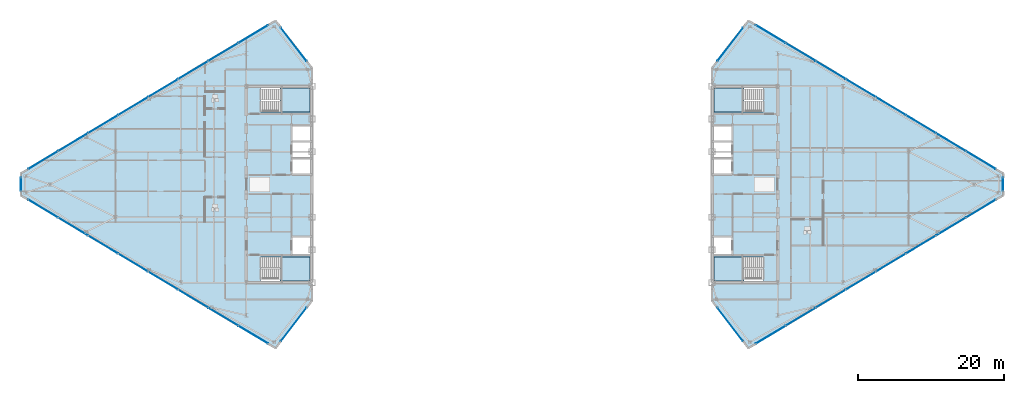
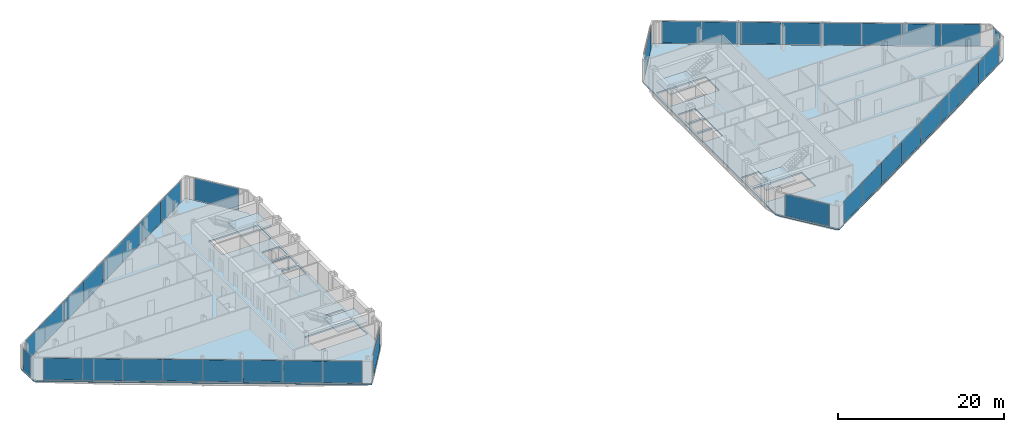
# One storey, part 18 of 26: 38 plates, 6 slabs, 14 elements without a shape of their own.
"""IFC4 building model written with IfcOpenShell, lengths in metres."""

from ifc_helpers import new_model, si_unit, direction, frame, origin, origin_2d, place, context, subcontext, project, spatial, polyline, rectangle, outline, extrude, source, transform, mapped, material, layer, layer_set, type_object, type_shapes, element, aggregate, save


model = new_model("IFC4")

# Units and contexts
model_context = context("Model", 3, precision=1e-05, world=origin(), true_north=direction((0.0, 1.0)))
body_context = subcontext(model_context, "Body", "Model", "MODEL_VIEW")
ifc_project = project(units=[si_unit("LENGTHUNIT", "METRE"), si_unit("AREAUNIT", "SQUARE_METRE"), si_unit("VOLUMEUNIT", "CUBIC_METRE"), si_unit("PLANEANGLEUNIT", "RADIAN"), si_unit("MASSUNIT", "GRAM", prefix="KILO")], contexts=[model_context])

# Site, building, storey
site_placement = place(None, origin())
site = spatial("IfcSite", under=ifc_project, at=site_placement, CompositionType="ELEMENT")
building_placement = place(site_placement, origin())
building = spatial("IfcBuilding", under=site, at=building_placement, Name="Seokmaru Belvedere", CompositionType="ELEMENT")
storey_placement = place(building_placement, frame((0.0, 0.0, 221.10009765625)))
storey = spatial("IfcBuildingStorey", under=building, at=storey_placement, Name="L59", CompositionType="ELEMENT", Elevation=221.10009765625)

# Stair, slab
ifc_material_1 = material(Name="Concrete C40 (40 MPa)", Category="concrete")
stair_type = type_object("IfcStairType", Name="Typical Tower Core Dog-Leg Stair 3600", PredefinedType="TWO_STRAIGHT_RUN_STAIR", material=ifc_material_1)
stair_1_placement = place(storey_placement, origin())
stair_1 = element("IfcStair", 1, at=stair_1_placement, inside=storey, type_object=stair_type, Name="L59 Special Escape Stair ST-W1", PredefinedType="TWO_STRAIGHT_RUN_STAIR")
ifc_layer_1 = layer(ifc_material_1, 0.199951171875)
ifc_layer_set_1 = layer_set([ifc_layer_1], Name="Concrete C40 (40 MPa)")
slab_type_1 = type_object("IfcSlabType", Name="Reinforced Concrete Stair Landing Slab 200", PredefinedType="LANDING", material=ifc_layer_set_1)
slab_1_placement = place(storey_placement, frame((0.0, 0.0, 1.599853515625)))
slab_1 = element("IfcSlab", 2, at=slab_1_placement, type_object=slab_type_1, Name="ST-W1 landing 1", PredefinedType="LANDING", context=body_context, shape_type="SweptSolid", body=[
    extrude(outline(polyline([(-31.8798828125, -13.239990234375), (-27.760009765625, -13.239990234375), (-27.760009765625, -9.949951171875), (-31.8798828125, -9.949951171875), (-31.8798828125, -13.239990234375)])), origin(), (0.0, 0.0, 1.0), 0.199951171875),
])
aggregate(stair_1, [slab_1])

stair_2_placement = place(storey_placement, origin())
stair_2 = element("IfcStair", 3, at=stair_2_placement, inside=storey, type_object=stair_type, Name="L59 Special Escape Stair ST-W2", PredefinedType="TWO_STRAIGHT_RUN_STAIR")
slab_2_placement = place(storey_placement, frame((0.0, 0.0, 1.599853515625)))
slab_2 = element("IfcSlab", 4, at=slab_2_placement, type_object=slab_type_1, Name="ST-W2 landing 1", PredefinedType="LANDING", context=body_context, shape_type="SweptSolid", body=[
    extrude(outline(polyline([(-31.8798828125, 9.949951171875), (-27.760009765625, 9.949951171875), (-27.760009765625, 13.239990234375), (-31.8798828125, 13.239990234375), (-31.8798828125, 9.949951171875)])), origin(), (0.0, 0.0, 1.0), 0.199951171875),
])
aggregate(stair_2, [slab_2])

stair_3_placement = place(storey_placement, origin())
stair_3 = element("IfcStair", 5, at=stair_3_placement, inside=storey, type_object=stair_type, Name="L59 Special Escape Stair ST-E1", PredefinedType="TWO_STRAIGHT_RUN_STAIR")
slab_3_placement = place(storey_placement, frame((0.0, 0.0, 1.599853515625)))
slab_3 = element("IfcSlab", 6, at=slab_3_placement, type_object=slab_type_1, Name="ST-E1 landing 1", PredefinedType="LANDING", context=body_context, shape_type="SweptSolid", body=[
    extrude(outline(polyline([(27.760009765625, -13.239990234375), (31.8798828125, -13.239990234375), (31.8798828125, -9.949951171875), (27.760009765625, -9.949951171875), (27.760009765625, -13.239990234375)])), origin(), (0.0, 0.0, 1.0), 0.199951171875),
])
aggregate(stair_3, [slab_3])

stair_4_placement = place(storey_placement, origin())
stair_4 = element("IfcStair", 7, at=stair_4_placement, inside=storey, type_object=stair_type, Name="L59 Special Escape Stair ST-E2", PredefinedType="TWO_STRAIGHT_RUN_STAIR")
slab_4_placement = place(storey_placement, frame((0.0, 0.0, 1.599853515625)))
slab_4 = element("IfcSlab", 8, at=slab_4_placement, type_object=slab_type_1, Name="ST-E2 landing 1", PredefinedType="LANDING", context=body_context, shape_type="SweptSolid", body=[
    extrude(outline(polyline([(27.760009765625, 9.949951171875), (31.8798828125, 9.949951171875), (31.8798828125, 13.239990234375), (27.760009765625, 13.239990234375), (27.760009765625, 9.949951171875)])), origin(), (0.0, 0.0, 1.0), 0.199951171875),
])
aggregate(stair_4, [slab_4])

# Slabs
ifc_layer_2 = layer(ifc_material_1, 0.219970703125)
ifc_layer_set_2 = layer_set([ifc_layer_2], Name="Concrete C40 (40 MPa)")
slab_type_2 = type_object("IfcSlabType", Name="Typical Tower Composite Floor Slab 220", PredefinedType="FLOOR", material=ifc_layer_set_2)
slab_5_placement = place(storey_placement, frame((0.0, 0.0, -0.22021484375)))
element("IfcSlab", 9, at=slab_5_placement, inside=storey, type_object=slab_type_2, Name="L59 West Leg Floor Slab", PredefinedType="FLOOR", context=body_context, shape_type="SweptSolid", body=[
    extrude(outline(polyline([(-27.5, -16.0), (-27.5, 16.0), (-32.5, 22.5), (-67.5, 1.5), (-67.5, -1.5), (-32.5, -22.5), (-27.5, -16.0)]), holes=[polyline([(-34.60009765625, -13.25), (-27.75, -13.25), (-27.75, -9.949951171875), (-34.60009765625, -9.949951171875), (-34.60009765625, -13.25)]), polyline([(-34.60009765625, 9.949951171875), (-27.75, 9.949951171875), (-27.75, 13.25), (-34.60009765625, 13.25), (-34.60009765625, 9.949951171875)]), polyline([(-30.14990234375, -9.550048828125), (-27.75, -9.550048828125), (-27.75, -7.25), (-30.14990234375, -7.25), (-30.14990234375, -9.550048828125)]), polyline([(-30.14990234375, 1.449951171875), (-27.75, 1.449951171875), (-27.75, 3.449951171875), (-30.14990234375, 3.449951171875), (-30.14990234375, 1.449951171875)]), polyline([(-30.14990234375, 3.75), (-27.75, 3.75), (-27.75, 5.75), (-30.14990234375, 5.75), (-30.14990234375, 3.75)]), polyline([(-30.14990234375, 6.050048828125), (-27.75, 6.050048828125), (-27.75, 8.050048828125), (-30.14990234375, 8.050048828125), (-30.14990234375, 6.050048828125)])]), origin(), (0.0, 0.0, 1.0), 0.22021484375),
])
slab_6_placement = place(storey_placement, frame((0.0, 0.0, -0.22021484375)))
element("IfcSlab", 10, at=slab_6_placement, inside=storey, type_object=slab_type_2, Name="L59 East Leg Floor Slab", PredefinedType="FLOOR", context=body_context, shape_type="SweptSolid", body=[
    extrude(outline(polyline([(32.5, -22.5), (67.5, -1.5), (67.5, 1.5), (32.5, 22.5), (27.5, 16.0), (27.5, -16.0), (32.5, -22.5)]), holes=[polyline([(27.75, -13.25), (34.60009765625, -13.25), (34.60009765625, -9.949951171875), (27.75, -9.949951171875), (27.75, -13.25)]), polyline([(27.75, 9.949951171875), (34.60009765625, 9.949951171875), (34.60009765625, 13.25), (27.75, 13.25), (27.75, 9.949951171875)]), polyline([(27.75, -9.550048828125), (30.14990234375, -9.550048828125), (30.14990234375, -7.25), (27.75, -7.25), (27.75, -9.550048828125)]), polyline([(27.75, 1.449951171875), (30.14990234375, 1.449951171875), (30.14990234375, 3.449951171875), (27.75, 3.449951171875), (27.75, 1.449951171875)]), polyline([(27.75, 3.75), (30.14990234375, 3.75), (30.14990234375, 5.75), (27.75, 5.75), (27.75, 3.75)]), polyline([(27.75, 6.050048828125), (30.14990234375, 6.050048828125), (30.14990234375, 8.050048828125), (27.75, 8.050048828125), (27.75, 6.050048828125)])]), origin(), (0.0, 0.0, 1.0), 0.22021484375),
])

# Curtain wall, plate
ifc_material_2 = material(Name="Bronze Triple Insulating Glass", Category="glass")
ifc_layer_3 = layer(ifc_material_2, 0.179931640625)
ifc_layer_set_3 = layer_set([ifc_layer_3], Name="Bronze Triple Insulating Glass")
curtain_wall_type = type_object("IfcCurtainWallType", Name="High-Rise Wind-Corner Curtain Wall System CW-5", PredefinedType="NOTDEFINED", material=ifc_layer_set_3)
curtain_wall_1_placement = place(storey_placement, origin())
curtain_wall_1 = element("IfcCurtainWall", 11, at=curtain_wall_1_placement, inside=storey, type_object=curtain_wall_type, Name="L59 Curtain Wall WF2", PredefinedType="NOTDEFINED")
ifc_layer_4 = layer(ifc_material_2, 0.035888671875)
ifc_layer_set_4 = layer_set([ifc_layer_4], Name="Bronze Triple Insulating Glass")
plate_type = type_object("IfcPlateType", Name="Bronze Triple Vision Glazing Panel 36", PredefinedType="CURTAIN_PANEL", material=ifc_layer_set_4)
shared_shape_1 = source(origin(), body_context, "Body", "SweptSolid", [
    extrude(rectangle(XDim=5.7705078125, YDim=0.035888671875, at=origin_2d()), origin(), (0.0, 0.0, 1.0), 3.2099609375),
])
plate_1_placement = place(storey_placement, frame((-30.0, 19.25, 0.06494140625), z_axis=(0.0, 0.0, 1.0), x_axis=(-0.609701187349, 0.792631353244, 0.0)))
plate_1 = element("IfcPlate", 12, at=plate_1_placement, type_object=plate_type, Name="CW:L59:WF2 Glazing Panel 1-1", PredefinedType="CURTAIN_PANEL", context=body_context, shape_type="MappedRepresentation", body=[
    mapped(shared_shape_1, transform((0.0, 0.0, 0.0), scale=1.0)),
])
aggregate(curtain_wall_1, [plate_1])

curtain_wall_2_placement = place(storey_placement, origin())
curtain_wall_2 = element("IfcCurtainWall", 13, at=curtain_wall_2_placement, inside=storey, type_object=curtain_wall_type, Name="L59 Curtain Wall WF6", PredefinedType="NOTDEFINED")
plate_2_placement = place(storey_placement, frame((-30.0, -19.25, 0.06494140625), z_axis=(0.0, 0.0, 1.0), x_axis=(0.609701187349, 0.792631353244, 0.0)))
plate_2 = element("IfcPlate", 14, at=plate_2_placement, type_object=plate_type, Name="CW:L59:WF6 Glazing Panel 1-1", PredefinedType="CURTAIN_PANEL", context=body_context, shape_type="MappedRepresentation", body=[
    mapped(shared_shape_1, transform((0.0, 0.0, 0.0), scale=1.0)),
])
aggregate(curtain_wall_2, [plate_2])

curtain_wall_3_placement = place(storey_placement, origin())
curtain_wall_3 = element("IfcCurtainWall", 15, at=curtain_wall_3_placement, inside=storey, type_object=curtain_wall_type, Name="L59 Curtain Wall EF4", PredefinedType="NOTDEFINED")
plate_3_placement = place(storey_placement, frame((30.0, 19.25, 0.06494140625), z_axis=(0.0, 0.0, 1.0), x_axis=(-0.609701187349, -0.792631353244, 0.0)))
plate_3 = element("IfcPlate", 16, at=plate_3_placement, type_object=plate_type, Name="CW:L59:EF4 Glazing Panel 1-1", PredefinedType="CURTAIN_PANEL", context=body_context, shape_type="MappedRepresentation", body=[
    mapped(shared_shape_1, transform((0.0, 0.0, 0.0), scale=1.0)),
])
aggregate(curtain_wall_3, [plate_3])

curtain_wall_4_placement = place(storey_placement, origin())
curtain_wall_4 = element("IfcCurtainWall", 17, at=curtain_wall_4_placement, inside=storey, type_object=curtain_wall_type, Name="L59 Curtain Wall EF6", PredefinedType="NOTDEFINED")
plate_4_placement = place(storey_placement, frame((30.0, -19.25, 0.06494140625), z_axis=(0.0, 0.0, 1.0), x_axis=(0.609701187349, -0.792631353244, 0.0)))
plate_4 = element("IfcPlate", 18, at=plate_4_placement, type_object=plate_type, Name="CW:L59:EF6 Glazing Panel 1-1", PredefinedType="CURTAIN_PANEL", context=body_context, shape_type="MappedRepresentation", body=[
    mapped(shared_shape_1, transform((0.0, 0.0, 0.0), scale=1.0)),
])
aggregate(curtain_wall_4, [plate_4])

# Curtain wall, plates
curtain_wall_5_placement = place(storey_placement, origin())
curtain_wall_5 = element("IfcCurtainWall", 19, at=curtain_wall_5_placement, inside=storey, type_object=curtain_wall_type, Name="L59 Curtain Wall WF3", PredefinedType="NOTDEFINED")
shared_shape_2 = source(origin(), body_context, "Body", "SweptSolid", [
    extrude(rectangle(XDim=4.717041015625, YDim=0.035888671875, at=origin_2d()), origin(), (0.0, 0.0, 1.0), 3.2099609375),
])
plate_5_placement = place(storey_placement, frame((-35.564208984375, 20.661376953125, 0.06494140625), z_axis=(0.0, 0.0, 1.0), x_axis=(-0.85749343335, -0.514494909364, 0.0)))
plate_5 = element("IfcPlate", 20, at=plate_5_placement, type_object=plate_type, Name="CW:L59:WF3 Glazing Panel 1-1", PredefinedType="CURTAIN_PANEL", context=body_context, shape_type="MappedRepresentation", body=[
    mapped(shared_shape_2, transform((0.0, 0.0, 0.0), scale=1.0)),
])
plate_6_placement = place(storey_placement, frame((-64.435791015625, 3.338623046875, 0.06494140625), z_axis=(0.0, 0.0, 1.0), x_axis=(-0.85749343335, -0.514494909364, 0.0)))
plate_6 = element("IfcPlate", 21, at=plate_6_placement, type_object=plate_type, Name="CW:L59:WF3 Glazing Panel 8-1", PredefinedType="CURTAIN_PANEL", context=body_context, shape_type="MappedRepresentation", body=[
    mapped(shared_shape_2, transform((0.0, 0.0, 0.0), scale=1.0)),
])

curtain_wall_6_placement = place(storey_placement, origin())
curtain_wall_6 = element("IfcCurtainWall", 22, at=curtain_wall_6_placement, inside=storey, type_object=curtain_wall_type, Name="L59 Curtain Wall WF5", PredefinedType="NOTDEFINED")
plate_7_placement = place(storey_placement, frame((-64.435791015625, -3.338623046875, 0.06494140625), z_axis=(0.0, 0.0, 1.0), x_axis=(0.85749343335, -0.514494909364, 0.0)))
plate_7 = element("IfcPlate", 23, at=plate_7_placement, type_object=plate_type, Name="CW:L59:WF5 Glazing Panel 1-1", PredefinedType="CURTAIN_PANEL", context=body_context, shape_type="MappedRepresentation", body=[
    mapped(shared_shape_2, transform((0.0, 0.0, 0.0), scale=1.0)),
])
plate_8_placement = place(storey_placement, frame((-35.564208984375, -20.661376953125, 0.06494140625), z_axis=(0.0, 0.0, 1.0), x_axis=(0.85749343335, -0.514494909364, 0.0)))
plate_8 = element("IfcPlate", 24, at=plate_8_placement, type_object=plate_type, Name="CW:L59:WF5 Glazing Panel 8-1", PredefinedType="CURTAIN_PANEL", context=body_context, shape_type="MappedRepresentation", body=[
    mapped(shared_shape_2, transform((0.0, 0.0, 0.0), scale=1.0)),
])

curtain_wall_7_placement = place(storey_placement, origin())
curtain_wall_7 = element("IfcCurtainWall", 25, at=curtain_wall_7_placement, inside=storey, type_object=curtain_wall_type, Name="L59 Curtain Wall EF1", PredefinedType="NOTDEFINED")
plate_9_placement = place(storey_placement, frame((35.564208984375, -20.661376953125, 0.06494140625), z_axis=(0.0, 0.0, 1.0), x_axis=(0.85749343335, 0.514494909364, 0.0)))
plate_9 = element("IfcPlate", 26, at=plate_9_placement, type_object=plate_type, Name="CW:L59:EF1 Glazing Panel 1-1", PredefinedType="CURTAIN_PANEL", context=body_context, shape_type="MappedRepresentation", body=[
    mapped(shared_shape_2, transform((0.0, 0.0, 0.0), scale=1.0)),
])
plate_10_placement = place(storey_placement, frame((64.435791015625, -3.338623046875, 0.06494140625), z_axis=(0.0, 0.0, 1.0), x_axis=(0.85749343335, 0.514494909364, 0.0)))
plate_10 = element("IfcPlate", 27, at=plate_10_placement, type_object=plate_type, Name="CW:L59:EF1 Glazing Panel 8-1", PredefinedType="CURTAIN_PANEL", context=body_context, shape_type="MappedRepresentation", body=[
    mapped(shared_shape_2, transform((0.0, 0.0, 0.0), scale=1.0)),
])

curtain_wall_8_placement = place(storey_placement, origin())
curtain_wall_8 = element("IfcCurtainWall", 28, at=curtain_wall_8_placement, inside=storey, type_object=curtain_wall_type, Name="L59 Curtain Wall EF3", PredefinedType="NOTDEFINED")
plate_11_placement = place(storey_placement, frame((64.435791015625, 3.338623046875, 0.06494140625), z_axis=(0.0, 0.0, 1.0), x_axis=(-0.85749343335, 0.514494909364, 0.0)))
plate_11 = element("IfcPlate", 29, at=plate_11_placement, type_object=plate_type, Name="CW:L59:EF3 Glazing Panel 1-1", PredefinedType="CURTAIN_PANEL", context=body_context, shape_type="MappedRepresentation", body=[
    mapped(shared_shape_2, transform((0.0, 0.0, 0.0), scale=1.0)),
])
plate_12_placement = place(storey_placement, frame((35.564208984375, 20.661376953125, 0.06494140625), z_axis=(0.0, 0.0, 1.0), x_axis=(-0.85749343335, 0.514494909364, 0.0)))
plate_12 = element("IfcPlate", 30, at=plate_12_placement, type_object=plate_type, Name="CW:L59:EF3 Glazing Panel 8-1", PredefinedType="CURTAIN_PANEL", context=body_context, shape_type="MappedRepresentation", body=[
    mapped(shared_shape_2, transform((0.0, 0.0, 0.0), scale=1.0)),
])

# Plate
shared_shape_3 = source(origin(), body_context, "Body", "SweptSolid", [
    extrude(rectangle(XDim=4.74951171875, YDim=0.035888671875, at=origin_2d()), origin(), (0.0, 0.0, 1.0), 3.2099609375),
])
plate_13_placement = place(storey_placement, frame((-39.6787109375, 18.192626953125, 0.06494140625), z_axis=(0.0, 0.0, 1.0), x_axis=(-0.85749343335, -0.514494909364, 0.0)))
plate_13 = element("IfcPlate", 31, at=plate_13_placement, type_object=plate_type, Name="CW:L59:WF3 Glazing Panel 2-1", PredefinedType="CURTAIN_PANEL", context=body_context, shape_type="MappedRepresentation", body=[
    mapped(shared_shape_3, transform((0.0, 0.0, 0.0), scale=1.0)),
])

plate_14_placement = place(storey_placement, frame((-43.807373046875, 15.715576171875, 0.06494140625), z_axis=(0.0, 0.0, 1.0), x_axis=(-0.85749343335, -0.514494909364, 0.0)))
plate_14 = element("IfcPlate", 32, at=plate_14_placement, type_object=plate_type, Name="CW:L59:WF3 Glazing Panel 3-1", PredefinedType="CURTAIN_PANEL", context=body_context, shape_type="MappedRepresentation", body=[
    mapped(shared_shape_3, transform((0.0, 0.0, 0.0), scale=1.0)),
])

plate_15_placement = place(storey_placement, frame((-47.935791015625, 13.238525390625, 0.06494140625), z_axis=(0.0, 0.0, 1.0), x_axis=(-0.85749343335, -0.514494909364, 0.0)))
plate_15 = element("IfcPlate", 33, at=plate_15_placement, type_object=plate_type, Name="CW:L59:WF3 Glazing Panel 4-1", PredefinedType="CURTAIN_PANEL", context=body_context, shape_type="MappedRepresentation", body=[
    mapped(shared_shape_3, transform((0.0, 0.0, 0.0), scale=1.0)),
])

plate_16_placement = place(storey_placement, frame((-52.064208984375, 10.761474609375, 0.06494140625), z_axis=(0.0, 0.0, 1.0), x_axis=(-0.85749343335, -0.514494909364, 0.0)))
plate_16 = element("IfcPlate", 34, at=plate_16_placement, type_object=plate_type, Name="CW:L59:WF3 Glazing Panel 5-1", PredefinedType="CURTAIN_PANEL", context=body_context, shape_type="MappedRepresentation", body=[
    mapped(shared_shape_3, transform((0.0, 0.0, 0.0), scale=1.0)),
])

plate_17_placement = place(storey_placement, frame((-56.192626953125, 8.284423828125, 0.06494140625), z_axis=(0.0, 0.0, 1.0), x_axis=(-0.85749343335, -0.514494909364, 0.0)))
plate_17 = element("IfcPlate", 35, at=plate_17_placement, type_object=plate_type, Name="CW:L59:WF3 Glazing Panel 6-1", PredefinedType="CURTAIN_PANEL", context=body_context, shape_type="MappedRepresentation", body=[
    mapped(shared_shape_3, transform((0.0, 0.0, 0.0), scale=1.0)),
])

plate_18_placement = place(storey_placement, frame((-60.3212890625, 5.807373046875, 0.06494140625), z_axis=(0.0, 0.0, 1.0), x_axis=(-0.85749343335, -0.514494909364, 0.0)))
plate_18 = element("IfcPlate", 36, at=plate_18_placement, type_object=plate_type, Name="CW:L59:WF3 Glazing Panel 7-1", PredefinedType="CURTAIN_PANEL", context=body_context, shape_type="MappedRepresentation", body=[
    mapped(shared_shape_3, transform((0.0, 0.0, 0.0), scale=1.0)),
])

aggregate(curtain_wall_5, [plate_5, plate_13, plate_14, plate_15, plate_16, plate_17, plate_18, plate_6])

plate_19_placement = place(storey_placement, frame((-60.3212890625, -5.807373046875, 0.06494140625), z_axis=(0.0, 0.0, 1.0), x_axis=(0.85749343335, -0.514494909364, 0.0)))
plate_19 = element("IfcPlate", 37, at=plate_19_placement, type_object=plate_type, Name="CW:L59:WF5 Glazing Panel 2-1", PredefinedType="CURTAIN_PANEL", context=body_context, shape_type="MappedRepresentation", body=[
    mapped(shared_shape_3, transform((0.0, 0.0, 0.0), scale=1.0)),
])

plate_20_placement = place(storey_placement, frame((-56.192626953125, -8.284423828125, 0.06494140625), z_axis=(0.0, 0.0, 1.0), x_axis=(0.85749343335, -0.514494909364, 0.0)))
plate_20 = element("IfcPlate", 38, at=plate_20_placement, type_object=plate_type, Name="CW:L59:WF5 Glazing Panel 3-1", PredefinedType="CURTAIN_PANEL", context=body_context, shape_type="MappedRepresentation", body=[
    mapped(shared_shape_3, transform((0.0, 0.0, 0.0), scale=1.0)),
])

plate_21_placement = place(storey_placement, frame((-52.064208984375, -10.761474609375, 0.06494140625), z_axis=(0.0, 0.0, 1.0), x_axis=(0.85749343335, -0.514494909364, 0.0)))
plate_21 = element("IfcPlate", 39, at=plate_21_placement, type_object=plate_type, Name="CW:L59:WF5 Glazing Panel 4-1", PredefinedType="CURTAIN_PANEL", context=body_context, shape_type="MappedRepresentation", body=[
    mapped(shared_shape_3, transform((0.0, 0.0, 0.0), scale=1.0)),
])

plate_22_placement = place(storey_placement, frame((-47.935791015625, -13.238525390625, 0.06494140625), z_axis=(0.0, 0.0, 1.0), x_axis=(0.85749343335, -0.514494909364, 0.0)))
plate_22 = element("IfcPlate", 40, at=plate_22_placement, type_object=plate_type, Name="CW:L59:WF5 Glazing Panel 5-1", PredefinedType="CURTAIN_PANEL", context=body_context, shape_type="MappedRepresentation", body=[
    mapped(shared_shape_3, transform((0.0, 0.0, 0.0), scale=1.0)),
])

plate_23_placement = place(storey_placement, frame((-43.807373046875, -15.715576171875, 0.06494140625), z_axis=(0.0, 0.0, 1.0), x_axis=(0.85749343335, -0.514494909364, 0.0)))
plate_23 = element("IfcPlate", 41, at=plate_23_placement, type_object=plate_type, Name="CW:L59:WF5 Glazing Panel 6-1", PredefinedType="CURTAIN_PANEL", context=body_context, shape_type="MappedRepresentation", body=[
    mapped(shared_shape_3, transform((0.0, 0.0, 0.0), scale=1.0)),
])

plate_24_placement = place(storey_placement, frame((-39.6787109375, -18.192626953125, 0.06494140625), z_axis=(0.0, 0.0, 1.0), x_axis=(0.85749343335, -0.514494909364, 0.0)))
plate_24 = element("IfcPlate", 42, at=plate_24_placement, type_object=plate_type, Name="CW:L59:WF5 Glazing Panel 7-1", PredefinedType="CURTAIN_PANEL", context=body_context, shape_type="MappedRepresentation", body=[
    mapped(shared_shape_3, transform((0.0, 0.0, 0.0), scale=1.0)),
])

aggregate(curtain_wall_6, [plate_7, plate_19, plate_20, plate_21, plate_22, plate_23, plate_24, plate_8])

plate_25_placement = place(storey_placement, frame((39.6787109375, -18.192626953125, 0.06494140625), z_axis=(0.0, 0.0, 1.0), x_axis=(0.85749343335, 0.514494909364, 0.0)))
plate_25 = element("IfcPlate", 43, at=plate_25_placement, type_object=plate_type, Name="CW:L59:EF1 Glazing Panel 2-1", PredefinedType="CURTAIN_PANEL", context=body_context, shape_type="MappedRepresentation", body=[
    mapped(shared_shape_3, transform((0.0, 0.0, 0.0), scale=1.0)),
])

plate_26_placement = place(storey_placement, frame((43.807373046875, -15.715576171875, 0.06494140625), z_axis=(0.0, 0.0, 1.0), x_axis=(0.85749343335, 0.514494909364, 0.0)))
plate_26 = element("IfcPlate", 44, at=plate_26_placement, type_object=plate_type, Name="CW:L59:EF1 Glazing Panel 3-1", PredefinedType="CURTAIN_PANEL", context=body_context, shape_type="MappedRepresentation", body=[
    mapped(shared_shape_3, transform((0.0, 0.0, 0.0), scale=1.0)),
])

plate_27_placement = place(storey_placement, frame((47.935791015625, -13.238525390625, 0.06494140625), z_axis=(0.0, 0.0, 1.0), x_axis=(0.85749343335, 0.514494909364, 0.0)))
plate_27 = element("IfcPlate", 45, at=plate_27_placement, type_object=plate_type, Name="CW:L59:EF1 Glazing Panel 4-1", PredefinedType="CURTAIN_PANEL", context=body_context, shape_type="MappedRepresentation", body=[
    mapped(shared_shape_3, transform((0.0, 0.0, 0.0), scale=1.0)),
])

plate_28_placement = place(storey_placement, frame((52.064208984375, -10.761474609375, 0.06494140625), z_axis=(0.0, 0.0, 1.0), x_axis=(0.85749343335, 0.514494909364, 0.0)))
plate_28 = element("IfcPlate", 46, at=plate_28_placement, type_object=plate_type, Name="CW:L59:EF1 Glazing Panel 5-1", PredefinedType="CURTAIN_PANEL", context=body_context, shape_type="MappedRepresentation", body=[
    mapped(shared_shape_3, transform((0.0, 0.0, 0.0), scale=1.0)),
])

plate_29_placement = place(storey_placement, frame((56.192626953125, -8.284423828125, 0.06494140625), z_axis=(0.0, 0.0, 1.0), x_axis=(0.85749343335, 0.514494909364, 0.0)))
plate_29 = element("IfcPlate", 47, at=plate_29_placement, type_object=plate_type, Name="CW:L59:EF1 Glazing Panel 6-1", PredefinedType="CURTAIN_PANEL", context=body_context, shape_type="MappedRepresentation", body=[
    mapped(shared_shape_3, transform((0.0, 0.0, 0.0), scale=1.0)),
])

plate_30_placement = place(storey_placement, frame((60.3212890625, -5.807373046875, 0.06494140625), z_axis=(0.0, 0.0, 1.0), x_axis=(0.85749343335, 0.514494909364, 0.0)))
plate_30 = element("IfcPlate", 48, at=plate_30_placement, type_object=plate_type, Name="CW:L59:EF1 Glazing Panel 7-1", PredefinedType="CURTAIN_PANEL", context=body_context, shape_type="MappedRepresentation", body=[
    mapped(shared_shape_3, transform((0.0, 0.0, 0.0), scale=1.0)),
])

aggregate(curtain_wall_7, [plate_9, plate_25, plate_26, plate_27, plate_28, plate_29, plate_30, plate_10])

plate_31_placement = place(storey_placement, frame((60.3212890625, 5.807373046875, 0.06494140625), z_axis=(0.0, 0.0, 1.0), x_axis=(-0.85749343335, 0.514494909364, 0.0)))
plate_31 = element("IfcPlate", 49, at=plate_31_placement, type_object=plate_type, Name="CW:L59:EF3 Glazing Panel 2-1", PredefinedType="CURTAIN_PANEL", context=body_context, shape_type="MappedRepresentation", body=[
    mapped(shared_shape_3, transform((0.0, 0.0, 0.0), scale=1.0)),
])

plate_32_placement = place(storey_placement, frame((56.192626953125, 8.284423828125, 0.06494140625), z_axis=(0.0, 0.0, 1.0), x_axis=(-0.85749343335, 0.514494909364, 0.0)))
plate_32 = element("IfcPlate", 50, at=plate_32_placement, type_object=plate_type, Name="CW:L59:EF3 Glazing Panel 3-1", PredefinedType="CURTAIN_PANEL", context=body_context, shape_type="MappedRepresentation", body=[
    mapped(shared_shape_3, transform((0.0, 0.0, 0.0), scale=1.0)),
])

plate_33_placement = place(storey_placement, frame((52.064208984375, 10.761474609375, 0.06494140625), z_axis=(0.0, 0.0, 1.0), x_axis=(-0.85749343335, 0.514494909364, 0.0)))
plate_33 = element("IfcPlate", 51, at=plate_33_placement, type_object=plate_type, Name="CW:L59:EF3 Glazing Panel 4-1", PredefinedType="CURTAIN_PANEL", context=body_context, shape_type="MappedRepresentation", body=[
    mapped(shared_shape_3, transform((0.0, 0.0, 0.0), scale=1.0)),
])

plate_34_placement = place(storey_placement, frame((47.935791015625, 13.238525390625, 0.06494140625), z_axis=(0.0, 0.0, 1.0), x_axis=(-0.85749343335, 0.514494909364, 0.0)))
plate_34 = element("IfcPlate", 52, at=plate_34_placement, type_object=plate_type, Name="CW:L59:EF3 Glazing Panel 5-1", PredefinedType="CURTAIN_PANEL", context=body_context, shape_type="MappedRepresentation", body=[
    mapped(shared_shape_3, transform((0.0, 0.0, 0.0), scale=1.0)),
])

plate_35_placement = place(storey_placement, frame((43.807373046875, 15.715576171875, 0.06494140625), z_axis=(0.0, 0.0, 1.0), x_axis=(-0.85749343335, 0.514494909364, 0.0)))
plate_35 = element("IfcPlate", 53, at=plate_35_placement, type_object=plate_type, Name="CW:L59:EF3 Glazing Panel 6-1", PredefinedType="CURTAIN_PANEL", context=body_context, shape_type="MappedRepresentation", body=[
    mapped(shared_shape_3, transform((0.0, 0.0, 0.0), scale=1.0)),
])

plate_36_placement = place(storey_placement, frame((39.6787109375, 18.192626953125, 0.06494140625), z_axis=(0.0, 0.0, 1.0), x_axis=(-0.85749343335, 0.514494909364, 0.0)))
plate_36 = element("IfcPlate", 54, at=plate_36_placement, type_object=plate_type, Name="CW:L59:EF3 Glazing Panel 7-1", PredefinedType="CURTAIN_PANEL", context=body_context, shape_type="MappedRepresentation", body=[
    mapped(shared_shape_3, transform((0.0, 0.0, 0.0), scale=1.0)),
])

aggregate(curtain_wall_8, [plate_11, plate_31, plate_32, plate_33, plate_34, plate_35, plate_36, plate_12])

# Curtain wall, plate
curtain_wall_9_placement = place(storey_placement, origin())
curtain_wall_9 = element("IfcCurtainWall", 55, at=curtain_wall_9_placement, inside=storey, type_object=curtain_wall_type, Name="L59 Curtain Wall WF4", PredefinedType="NOTDEFINED")
shared_shape_4 = source(origin(), body_context, "Body", "SweptSolid", [
    extrude(rectangle(XDim=1.77001953125, YDim=0.035888671875, at=origin_2d()), origin(), (0.0, 0.0, 1.0), 3.2099609375),
])
type_shapes(plate_type, [shared_shape_1, shared_shape_2, shared_shape_3, shared_shape_4])
plate_37_placement = place(storey_placement, frame((-67.5, 0.0, 0.06494140625), z_axis=(0.0, 0.0, 1.0), x_axis=(0.0, -1.0, 0.0)))
plate_37 = element("IfcPlate", 56, at=plate_37_placement, type_object=plate_type, Name="CW:L59:WF4 Glazing Panel 1-1", PredefinedType="CURTAIN_PANEL", context=body_context, shape_type="MappedRepresentation", body=[
    mapped(shared_shape_4, transform((0.0, 0.0, 0.0), scale=1.0)),
])
aggregate(curtain_wall_9, [plate_37])

curtain_wall_10_placement = place(storey_placement, origin())
curtain_wall_10 = element("IfcCurtainWall", 57, at=curtain_wall_10_placement, inside=storey, type_object=curtain_wall_type, Name="L59 Curtain Wall EF2", PredefinedType="NOTDEFINED")
plate_38_placement = place(storey_placement, frame((67.5, 0.0, 0.06494140625), z_axis=(0.0, 0.0, 1.0), x_axis=(0.0, 1.0, 0.0)))
plate_38 = element("IfcPlate", 58, at=plate_38_placement, type_object=plate_type, Name="CW:L59:EF2 Glazing Panel 1-1", PredefinedType="CURTAIN_PANEL", context=body_context, shape_type="MappedRepresentation", body=[
    mapped(shared_shape_4, transform((0.0, 0.0, 0.0), scale=1.0)),
])
aggregate(curtain_wall_10, [plate_38])

save(model, "model.ifc")
